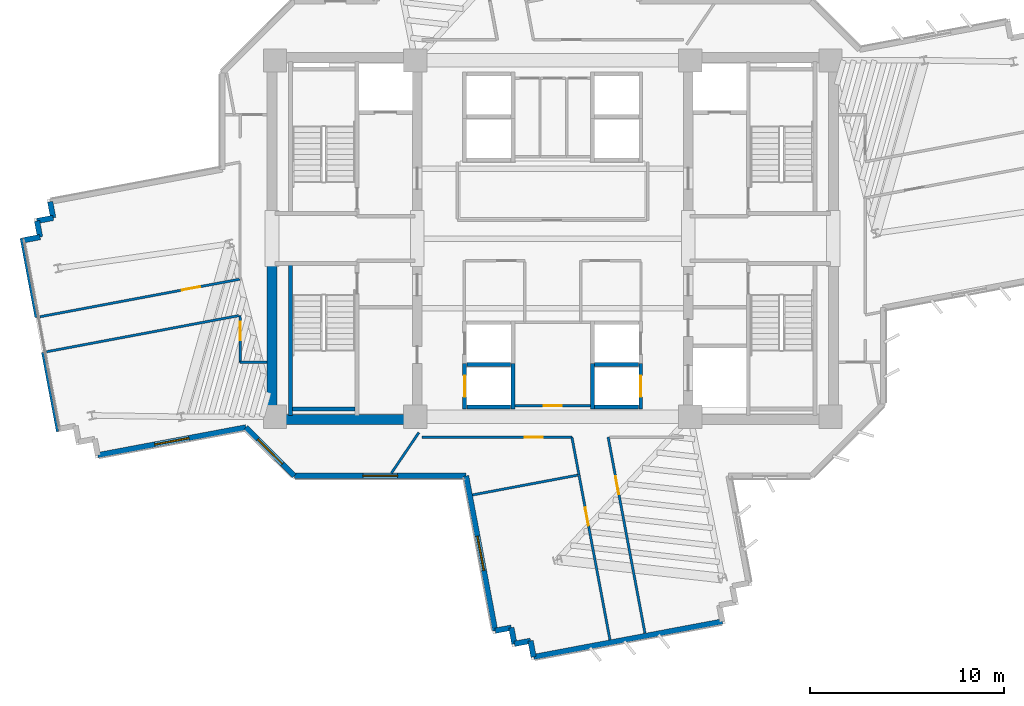
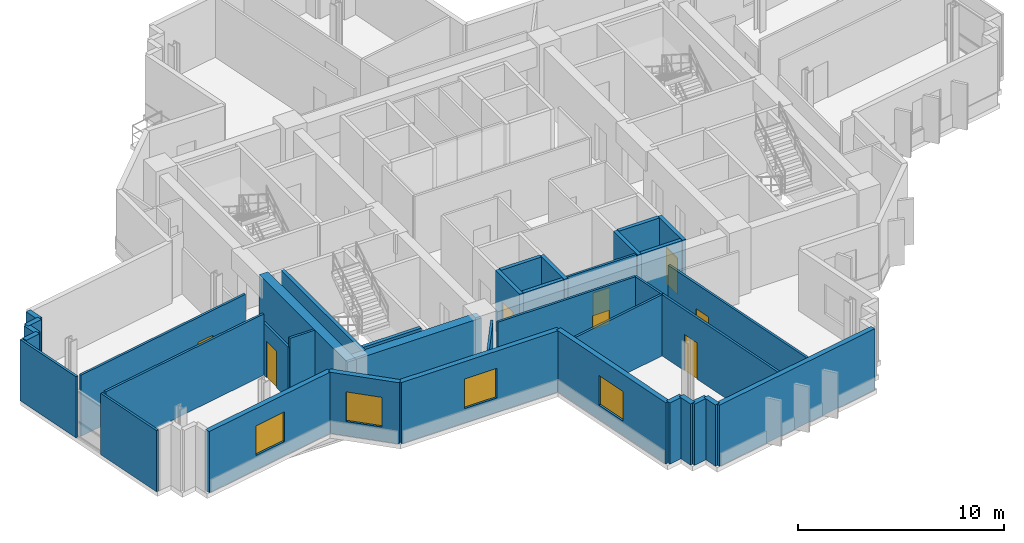
# One storey, part 8 of 16: 38 walls, 8 doors, 4 windows, 12 openings.
"""IFC4 building model written with IfcOpenShell, lengths in metres."""

from ifc_helpers import new_model, si_unit, direction, frame, frame_2d, origin, place, context, subcontext, project, spatial, rectangle, extrude, source, transform, mapped, material, layer, layer_set, type_object, element, fill, save


model = new_model("IFC4")

# Units and contexts
model_context = context("Model", 3, precision=1e-05, world=origin(), true_north=direction((0.0, 1.0)))
body_context = subcontext(model_context, "Body", "Model", "MODEL_VIEW")
ifc_project = project(units=[si_unit("LENGTHUNIT", "METRE"), si_unit("AREAUNIT", "SQUARE_METRE"), si_unit("VOLUMEUNIT", "CUBIC_METRE"), si_unit("PLANEANGLEUNIT", "RADIAN"), si_unit("MASSUNIT", "GRAM", prefix="KILO")], contexts=[model_context])

# Site, building, storey
site_placement = place(None, origin())
site = spatial("IfcSite", under=ifc_project, at=site_placement, CompositionType="ELEMENT")
building_placement = place(site_placement, origin())
building = spatial("IfcBuilding", under=site, at=building_placement, Name="Zahravan Cultural Tower", CompositionType="ELEMENT")
storey_placement = place(building_placement, frame((0.0, 0.0, 155.10009765625)))
storey = spatial("IfcBuildingStorey", under=building, at=storey_placement, Name="L35", CompositionType="ELEMENT", Elevation=155.10009765625)

# Wall, opening, window
ifc_material_1 = material(Name="Precast concrete C40/50", Category="concrete")
ifc_layer_1 = layer(ifc_material_1, 0.280029296875)
ifc_layer_set_1 = layer_set([ifc_layer_1], Name="Precast concrete C40/50")
wall_type_1 = type_object("IfcWallType", Name="EW-TC-280", PredefinedType="SOLIDWALL", material=ifc_layer_set_1)
wall_1_placement = place(storey_placement, frame((33.029052734375, 6.7431640625, 0.0), z_axis=(0.0, 0.0, 1.0), x_axis=(-0.184649032166, 0.982804525285, 0.0)))
wall_1 = element("IfcWall", 1, at=wall_1_placement, inside=storey, type_object=wall_type_1, Name="L35 Exterior Masonry Frame Wall 24", PredefinedType="SOLIDWALL", context=body_context, shape_type="SweptSolid", body=[
    extrude(rectangle(XDim=8.13671875, YDim=0.280029296875, at=frame_2d((4.068359375, 0.0))), origin(), (0.0, 0.0, 1.0), 3.619873046875),
])
opening_1_placement = place(wall_1_placement, frame((3.16796875, 0.0, 0.85009765625)))
opening_1 = element("IfcOpeningElement", 2, at=opening_1_placement, cuts=wall_1, Name="Opening WN-02", PredefinedType="OPENING", context=body_context, shape_type="SweptSolid", body=[
    extrude(rectangle(XDim=1.800048828125, YDim=1.75, at=frame_2d((0.89990234375, 0.875))), frame((0.0, 0.14990234375, 0.0), z_axis=(0.0, -1.0, 0.0), x_axis=(1.0, 0.0, 0.0)), (0.0, 0.0, 1.0), 0.300048828125),
])
ifc_material_2 = material(Name="Low-E solar-control double glazing", Category="glass")
window_type = type_object("IfcWindowType", Name="WN-REC-1800X1750", PartitioningType="DOUBLE_PANEL_VERTICAL", PredefinedType="WINDOW", material=ifc_material_2)
shared_shape_1 = source(origin(), body_context, "Body", "SweptSolid", [
    extrude(rectangle(XDim=1.800048828125, YDim=1.75, at=frame_2d((0.89990234375, 0.875))), frame((0.0, 0.030029296875, 0.0), z_axis=(0.0, -1.0, 0.0), x_axis=(1.0, 0.0, 0.0)), (0.0, 0.0, 1.0), 0.06005859375),
])
window_1_placement = place(opening_1_placement, origin())
window_1 = element("IfcWindow", 3, at=window_1_placement, inside=storey, type_object=window_type, Name="L35 Recessed Solar Window 05", OverallHeight=1.75, OverallWidth=1.800048828125, PartitioningType="DOUBLE_PANEL_VERTICAL", PredefinedType="WINDOW", context=body_context, shape_type="MappedRepresentation", body=[
    mapped(shared_shape_1, transform((0.0, 0.0, 0.0), x_axis=(1.0, 0.0, 0.0), y_axis=(0.0, 1.0, 0.0), z_axis=(0.0, 0.0, 1.0), scale=1.0)),
])
fill(opening_1, window_1)

wall_2_placement = place(storey_placement, frame((31.526611328125, 14.739990234375, 0.0), z_axis=(0.0, 0.0, 1.0), x_axis=(-1.0, 0.0, 0.0)))
wall_2 = element("IfcWall", 4, at=wall_2_placement, inside=storey, type_object=wall_type_1, Name="L35 Exterior Masonry Frame Wall 25", PredefinedType="SOLIDWALL", context=body_context, shape_type="SweptSolid", body=[
    extrude(rectangle(XDim=8.86865234375, YDim=0.280029296875, at=frame_2d((4.434326171875, 0.0))), origin(), (0.0, 0.0, 1.0), 3.619873046875),
])
opening_2_placement = place(wall_2_placement, frame((3.533935546875, 0.0, 0.85009765625)))
opening_2 = element("IfcOpeningElement", 5, at=opening_2_placement, cuts=wall_2, Name="Opening WN-02", PredefinedType="OPENING", context=body_context, shape_type="SweptSolid", body=[
    extrude(rectangle(XDim=1.800048828125, YDim=1.75, at=frame_2d((0.89990234375, 0.875))), frame((0.0, 0.14990234375, 0.0), z_axis=(0.0, -1.0, 0.0), x_axis=(1.0, 0.0, 0.0)), (0.0, 0.0, 1.0), 0.300048828125),
])
window_2_placement = place(opening_2_placement, origin())
window_2 = element("IfcWindow", 6, at=window_2_placement, inside=storey, type_object=window_type, Name="L35 Recessed Solar Window 06", OverallHeight=1.75, OverallWidth=1.800048828125, PartitioningType="DOUBLE_PANEL_VERTICAL", PredefinedType="WINDOW", context=body_context, shape_type="MappedRepresentation", body=[
    mapped(shared_shape_1, transform((0.0, 0.0, 0.0), x_axis=(1.0, 0.0, 0.0), y_axis=(0.0, 1.0, 0.0), z_axis=(0.0, 0.0, 1.0), scale=1.0)),
])
fill(opening_2, window_2)

wall_3_placement = place(storey_placement, frame((22.657958984375, 14.739990234375, 0.0), z_axis=(0.0, 0.0, 1.0), x_axis=(-0.707106781187, 0.707106781187, 0.0)))
wall_3 = element("IfcWall", 7, at=wall_3_placement, inside=storey, type_object=wall_type_1, Name="L35 Exterior Masonry Frame Wall 26", PredefinedType="SOLIDWALL", context=body_context, shape_type="SweptSolid", body=[
    extrude(rectangle(XDim=3.544189453125, YDim=0.280029296875, at=frame_2d((1.77197265625, 0.0))), origin(), (0.0, 0.0, 1.0), 3.619873046875),
])
opening_3_placement = place(wall_3_placement, frame((0.8720703125, 0.0, 0.85009765625)))
opening_3 = element("IfcOpeningElement", 8, at=opening_3_placement, cuts=wall_3, Name="Opening WN-02", PredefinedType="OPENING", context=body_context, shape_type="SweptSolid", body=[
    extrude(rectangle(XDim=1.800048828125, YDim=1.75, at=frame_2d((0.89990234375, 0.875))), frame((0.0, 0.14990234375, 0.0), z_axis=(0.0, -1.0, 0.0), x_axis=(1.0, 0.0, 0.0)), (0.0, 0.0, 1.0), 0.300048828125),
])
window_3_placement = place(opening_3_placement, origin())
window_3 = element("IfcWindow", 9, at=window_3_placement, inside=storey, type_object=window_type, Name="L35 Recessed Solar Window 07", OverallHeight=1.75, OverallWidth=1.800048828125, PartitioningType="DOUBLE_PANEL_VERTICAL", PredefinedType="WINDOW", context=body_context, shape_type="MappedRepresentation", body=[
    mapped(shared_shape_1, transform((0.0, 0.0, 0.0), x_axis=(1.0, 0.0, 0.0), y_axis=(0.0, 1.0, 0.0), z_axis=(0.0, 0.0, 1.0), scale=1.0)),
])
fill(opening_3, window_3)

wall_4_placement = place(storey_placement, frame((20.15185546875, 17.24609375, 0.0), z_axis=(0.0, 0.0, 1.0), x_axis=(-0.982809278234, -0.18462373254, 0.0)))
wall_4 = element("IfcWall", 10, at=wall_4_placement, inside=storey, type_object=wall_type_1, Name="L35 Exterior Masonry Frame Wall 27", PredefinedType="SOLIDWALL", context=body_context, shape_type="SweptSolid", body=[
    extrude(rectangle(XDim=7.783447265625, YDim=0.280029296875, at=frame_2d((3.8916015625, 0.0))), origin(), (0.0, 0.0, 1.0), 3.619873046875),
])
opening_4_placement = place(wall_4_placement, frame((2.991943359375, 0.0, 0.85009765625)))
opening_4 = element("IfcOpeningElement", 11, at=opening_4_placement, cuts=wall_4, Name="Opening WN-02", PredefinedType="OPENING", context=body_context, shape_type="SweptSolid", body=[
    extrude(rectangle(XDim=1.800048828125, YDim=1.75, at=frame_2d((0.89990234375, 0.875))), frame((0.0, 0.14990234375, 0.0), z_axis=(0.0, -1.0, 0.0), x_axis=(1.0, 0.0, 0.0)), (0.0, 0.0, 1.0), 0.300048828125),
])
window_4_placement = place(opening_4_placement, origin())
window_4 = element("IfcWindow", 12, at=window_4_placement, inside=storey, type_object=window_type, Name="L35 Recessed Solar Window 08", OverallHeight=1.75, OverallWidth=1.800048828125, PartitioningType="DOUBLE_PANEL_VERTICAL", PredefinedType="WINDOW", context=body_context, shape_type="MappedRepresentation", body=[
    mapped(shared_shape_1, transform((0.0, 0.0, 0.0), x_axis=(1.0, 0.0, 0.0), y_axis=(0.0, 1.0, 0.0), z_axis=(0.0, 0.0, 1.0), scale=1.0)),
])
fill(opening_4, window_4)

# Wall, opening, door
ifc_material_3 = material(Name="Gypsum plasterboard partition")
ifc_layer_2 = layer(ifc_material_3, 0.125)
ifc_layer_set_2 = layer_set([ifc_layer_2], Name="Gypsum plasterboard partition")
wall_type_2 = type_object("IfcWallType", Name="W-PART-125", PredefinedType="PARTITIONING", material=ifc_layer_set_2)
wall_5_placement = place(storey_placement, frame((37.945068359375, 18.360107421875, 0.0), z_axis=(0.0, 0.0, 1.0), x_axis=(-1.0, 0.0, 0.0)))
wall_5 = element("IfcWall", 13, at=wall_5_placement, inside=storey, type_object=wall_type_2, Name="L35 Interior Wall 075", PredefinedType="PARTITIONING", context=body_context, shape_type="SweptSolid", body=[
    extrude(rectangle(XDim=3.89013671875, YDim=0.125, at=frame_2d((1.945068359375, 0.0))), origin(), (0.0, 0.0, 1.0), 3.619873046875),
])
opening_5_placement = place(wall_5_placement, frame((1.469970703125, 0.0, 0.0)))
opening_5 = element("IfcOpeningElement", 14, at=opening_5_placement, cuts=wall_5, Name="Opening D-L35-17", PredefinedType="OPENING", context=body_context, shape_type="SweptSolid", body=[
    extrude(rectangle(XDim=0.949951171875, YDim=2.14990234375, at=frame_2d((0.47509765625, 1.074951171875))), frame((0.0, 0.072509765625, 0.0), z_axis=(0.0, -1.0, 0.0), x_axis=(1.0, 0.0, 0.0)), (0.0, 0.0, 1.0), 0.14501953125),
])
ifc_material_4 = material(Name="Anodised bronze-aluminium mullion", Category="aluminium")
door_type_1 = type_object("IfcDoorType", Name="DR-ROOM-950", OperationType="NOTDEFINED", PredefinedType="DOOR", material=ifc_material_4)
shared_shape_2 = source(origin(), body_context, "Body", "SweptSolid", [
    extrude(rectangle(XDim=0.949951171875, YDim=2.14990234375, at=frame_2d((0.47509765625, 1.074951171875))), frame((0.0, 0.02490234375, 0.0), z_axis=(0.0, -1.0, 0.0), x_axis=(1.0, 0.0, 0.0)), (0.0, 0.0, 1.0), 0.050048828125),
])
door_1_placement = place(opening_5_placement, origin())
door_1 = element("IfcDoor", 15, at=door_1_placement, inside=storey, type_object=door_type_1, Name="L35 Door D-L35-17", OperationType="SINGLE_SWING_LEFT", OverallHeight=2.14990234375, OverallWidth=0.949951171875, PredefinedType="DOOR", context=body_context, shape_type="MappedRepresentation", body=[
    mapped(shared_shape_2, transform((0.0, 0.0, 0.0), x_axis=(1.0, 0.0, 0.0), y_axis=(0.0, 1.0, 0.0), z_axis=(0.0, 0.0, 1.0), scale=1.0)),
])
fill(opening_5, door_1)

wall_6_placement = place(storey_placement, frame((29.255859375, 16.739990234375, 0.0), z_axis=(0.0, 0.0, 1.0), x_axis=(1.0, 0.0, 0.0)))
wall_6 = element("IfcWall", 16, at=wall_6_placement, inside=storey, type_object=wall_type_2, Name="L35 Interior Wall 080", PredefinedType="PARTITIONING", context=body_context, shape_type="SweptSolid", body=[
    extrude(rectangle(XDim=7.735595703125, YDim=0.125, at=frame_2d((3.86767578125, 0.0))), origin(), (0.0, 0.0, 1.0), 3.619873046875),
])
opening_6_placement = place(wall_6_placement, frame((5.292724609375, 0.0, 0.0)))
opening_6 = element("IfcOpeningElement", 17, at=opening_6_placement, cuts=wall_6, Name="Opening D-L35-27", PredefinedType="OPENING", context=body_context, shape_type="SweptSolid", body=[
    extrude(rectangle(XDim=0.949951171875, YDim=2.14990234375, at=frame_2d((0.47509765625, 1.074951171875))), frame((0.0, 0.072509765625, 0.0), z_axis=(0.0, -1.0, 0.0), x_axis=(1.0, 0.0, 0.0)), (0.0, 0.0, 1.0), 0.14501953125),
])
door_2_placement = place(opening_6_placement, origin())
door_2 = element("IfcDoor", 18, at=door_2_placement, inside=storey, type_object=door_type_1, Name="L35 Door D-L35-27", OperationType="SINGLE_SWING_LEFT", OverallHeight=2.14990234375, OverallWidth=0.949951171875, PredefinedType="DOOR", context=body_context, shape_type="MappedRepresentation", body=[
    mapped(shared_shape_2, transform((0.0, 0.0, 0.0), x_axis=(1.0, 0.0, 0.0), y_axis=(0.0, 1.0, 0.0), z_axis=(0.0, 0.0, 1.0), scale=1.0)),
])
fill(opening_6, door_2)

wall_7_placement = place(storey_placement, frame((37.361328125, 14.77099609375, 0.0), z_axis=(0.0, 0.0, 1.0), x_axis=(0.18463806937, -0.982806584908, 0.0)))
wall_7 = element("IfcWall", 19, at=wall_7_placement, inside=storey, type_object=wall_type_2, Name="L35 Interior Wall 088", PredefinedType="PARTITIONING", context=body_context, shape_type="SweptSolid", body=[
    extrude(rectangle(XDim=8.64501953125, YDim=0.125, at=frame_2d((4.322509765625, 0.0))), origin(), (0.0, 0.0, 1.0), 3.619873046875),
])
opening_7_placement = place(wall_7_placement, frame((1.69287109375, 0.0, 0.0)))
opening_7 = element("IfcOpeningElement", 20, at=opening_7_placement, cuts=wall_7, Name="Opening D-L35-28", PredefinedType="OPENING", context=body_context, shape_type="SweptSolid", body=[
    extrude(rectangle(XDim=0.949951171875, YDim=2.14990234375, at=frame_2d((0.47509765625, 1.074951171875))), frame((0.0, 0.072509765625, 0.0), z_axis=(0.0, -1.0, 0.0), x_axis=(1.0, 0.0, 0.0)), (0.0, 0.0, 1.0), 0.14501953125),
])
door_3_placement = place(opening_7_placement, origin())
door_3 = element("IfcDoor", 21, at=door_3_placement, inside=storey, type_object=door_type_1, Name="L35 Door D-L35-28", OperationType="SINGLE_SWING_RIGHT", OverallHeight=2.14990234375, OverallWidth=0.949951171875, PredefinedType="DOOR", context=body_context, shape_type="MappedRepresentation", body=[
    mapped(shared_shape_2, transform((0.0, 0.0, 0.0), x_axis=(1.0, 0.0, 0.0), y_axis=(0.0, 1.0, 0.0), z_axis=(0.0, 0.0, 1.0), scale=1.0)),
])
fill(opening_7, door_3)

wall_8_placement = place(storey_placement, frame((19.849853515625, 24.902099609375, 0.0), z_axis=(0.0, 0.0, 1.0), x_axis=(-0.982804817995, -0.184647474194, 0.0)))
wall_8 = element("IfcWall", 22, at=wall_8_placement, inside=storey, type_object=wall_type_2, Name="L35 Interior Wall 096", PredefinedType="PARTITIONING", context=body_context, shape_type="SweptSolid", body=[
    extrude(rectangle(XDim=10.5126953125, YDim=0.125, at=frame_2d((5.25634765625, 0.0))), origin(), (0.0, 0.0, 1.0), 3.619873046875),
])
opening_8_placement = place(wall_8_placement, frame((2.103759765625, 0.0, 0.0)))
opening_8 = element("IfcOpeningElement", 23, at=opening_8_placement, cuts=wall_8, Name="Opening D-L35-25", PredefinedType="OPENING", context=body_context, shape_type="SweptSolid", body=[
    extrude(rectangle(XDim=0.949951171875, YDim=2.14990234375, at=frame_2d((0.47509765625, 1.074951171875))), frame((0.0, 0.072509765625, 0.0), z_axis=(0.0, -1.0, 0.0), x_axis=(1.0, 0.0, 0.0)), (0.0, 0.0, 1.0), 0.14501953125),
])
door_4_placement = place(opening_8_placement, origin())
door_4 = element("IfcDoor", 24, at=door_4_placement, inside=storey, type_object=door_type_1, Name="L35 Door D-L35-25", OperationType="SINGLE_SWING_LEFT", OverallHeight=2.14990234375, OverallWidth=0.949951171875, PredefinedType="DOOR", context=body_context, shape_type="MappedRepresentation", body=[
    mapped(shared_shape_2, transform((0.0, 0.0, 0.0), x_axis=(1.0, 0.0, 0.0), y_axis=(0.0, 1.0, 0.0), z_axis=(0.0, 0.0, 1.0), scale=1.0)),
])
fill(opening_8, door_4)

wall_9_placement = place(storey_placement, frame((40.765869140625, 6.614501953125, 0.0), z_axis=(0.0, 0.0, 1.0), x_axis=(-0.184646211839, 0.982805055163, 0.0)))
wall_9 = element("IfcWall", 25, at=wall_9_placement, inside=storey, type_object=wall_type_2, Name="L35 Interior Wall 097", PredefinedType="PARTITIONING", context=body_context, shape_type="SweptSolid", body=[
    extrude(rectangle(XDim=10.302734375, YDim=0.125, at=frame_2d((5.1513671875, 0.0))), origin(), (0.0, 0.0, 1.0), 3.619873046875),
])
opening_9_placement = place(wall_9_placement, frame((7.295166015625, 0.0, 0.0)))
opening_9 = element("IfcOpeningElement", 26, at=opening_9_placement, cuts=wall_9, Name="Opening D-L35-29", PredefinedType="OPENING", context=body_context, shape_type="SweptSolid", body=[
    extrude(rectangle(XDim=0.949951171875, YDim=2.14990234375, at=frame_2d((0.47509765625, 1.074951171875))), frame((0.0, 0.072509765625, 0.0), z_axis=(0.0, -1.0, 0.0), x_axis=(1.0, 0.0, 0.0)), (0.0, 0.0, 1.0), 0.14501953125),
])
door_5_placement = place(opening_9_placement, origin())
door_5 = element("IfcDoor", 27, at=door_5_placement, inside=storey, type_object=door_type_1, Name="L35 Door D-L35-29", OperationType="SINGLE_SWING_LEFT", OverallHeight=2.14990234375, OverallWidth=0.949951171875, PredefinedType="DOOR", context=body_context, shape_type="MappedRepresentation", body=[
    mapped(shared_shape_2, transform((0.0, 0.0, 0.0), x_axis=(1.0, 0.0, 0.0), y_axis=(0.0, 1.0, 0.0), z_axis=(0.0, 0.0, 1.0), scale=1.0)),
])
fill(opening_9, door_5)

wall_10_placement = place(storey_placement, frame((19.85009765625, 23.02978515625, 0.0), z_axis=(0.0, 0.0, 1.0), x_axis=(0.00040209084, -0.999999919161, 0.0)))
wall_10 = element("IfcWall", 28, at=wall_10_placement, inside=storey, type_object=wall_type_2, Name="L35 Interior Wall 105", PredefinedType="PARTITIONING", context=body_context, shape_type="SweptSolid", body=[
    extrude(rectangle(XDim=2.4287109375, YDim=0.125, at=frame_2d((1.21435546875, 0.0))), origin(), (0.0, 0.0, 1.0), 3.078857421875),
])
opening_10_placement = place(wall_10_placement, frame((0.3251953125, 0.0, 0.0)))
opening_10 = element("IfcOpeningElement", 29, at=opening_10_placement, cuts=wall_10, Name="Opening D-L35-26", PredefinedType="OPENING", context=body_context, shape_type="SweptSolid", body=[
    extrude(rectangle(XDim=0.949951171875, YDim=2.14990234375, at=frame_2d((0.47509765625, 1.074951171875))), frame((0.0, 0.072509765625, 0.0), z_axis=(0.0, -1.0, 0.0), x_axis=(1.0, 0.0, 0.0)), (0.0, 0.0, 1.0), 0.14501953125),
])
door_6_placement = place(opening_10_placement, origin())
door_6 = element("IfcDoor", 30, at=door_6_placement, inside=storey, type_object=door_type_1, Name="L35 Door D-L35-26", OperationType="SINGLE_SWING_RIGHT", OverallHeight=2.14990234375, OverallWidth=0.949951171875, PredefinedType="DOOR", context=body_context, shape_type="MappedRepresentation", body=[
    mapped(shared_shape_2, transform((0.0, 0.0, 0.0), x_axis=(1.0, 0.0, 0.0), y_axis=(0.0, 1.0, 0.0), z_axis=(0.0, 0.0, 1.0), scale=1.0)),
])
fill(opening_10, door_6)

ifc_material_5 = material(Name="Concrete C45/55", Category="concrete")
ifc_layer_3 = layer(ifc_material_5, 0.199951171875)
ifc_layer_set_3 = layer_set([ifc_layer_3], Name="Concrete C45/55")
wall_type_3 = type_object("IfcWallType", Name="W-SHAFT-200", PredefinedType="SOLIDWALL", material=ifc_layer_set_3)
wall_11_placement = place(storey_placement, frame((31.449951171875, 18.199951171875, 0.0), z_axis=(0.0, 0.0, 1.0), x_axis=(0.0, 1.0, 0.0)))
wall_11 = element("IfcWall", 31, at=wall_11_placement, inside=storey, type_object=wall_type_3, Name="L35 Interior Wall 044", PredefinedType="SOLIDWALL", context=body_context, shape_type="SweptSolid", body=[
    extrude(rectangle(XDim=2.35009765625, YDim=0.199951171875, at=frame_2d((1.175048828125, 0.0))), origin(), (0.0, 0.0, 1.0), 3.619873046875),
])
opening_11_placement = place(wall_11_placement, frame((0.625, 0.0, 0.0)))
opening_11 = element("IfcOpeningElement", 32, at=opening_11_placement, cuts=wall_11, Name="Opening LD-L35-05", PredefinedType="OPENING", context=body_context, shape_type="SweptSolid", body=[
    extrude(rectangle(XDim=1.10009765625, YDim=2.14990234375, at=frame_2d((0.550048828125, 1.074951171875))), frame((0.0, 0.10986328125, 0.0), z_axis=(0.0, -1.0, 0.0), x_axis=(1.0, 0.0, 0.0)), (0.0, 0.0, 1.0), 0.219970703125),
])
ifc_material_6 = material(Name="Steel ASTM A572 Grade 50", Category="steel")
door_type_2 = type_object("IfcDoorType", Name="DR-LIFT-1100", OperationType="DOUBLE_DOOR_SLIDING", PredefinedType="DOOR", material=ifc_material_6)
shared_shape_3 = source(origin(), body_context, "Body", "SweptSolid", [
    extrude(rectangle(XDim=1.10009765625, YDim=2.14990234375, at=frame_2d((0.550048828125, 1.074951171875))), frame((0.0, 0.02490234375, 0.0), z_axis=(0.0, -1.0, 0.0), x_axis=(1.0, 0.0, 0.0)), (0.0, 0.0, 1.0), 0.050048828125),
])
door_7_placement = place(opening_11_placement, origin())
door_7 = element("IfcDoor", 33, at=door_7_placement, inside=storey, type_object=door_type_2, Name="L35 Door LD-L35-05", OperationType="DOUBLE_DOOR_SLIDING", OverallHeight=2.14990234375, OverallWidth=1.10009765625, PredefinedType="DOOR", context=body_context, shape_type="MappedRepresentation", body=[
    mapped(shared_shape_3, transform((0.0, 0.0, 0.0), x_axis=(1.0, 0.0, 0.0), y_axis=(0.0, 1.0, 0.0), z_axis=(0.0, 0.0, 1.0), scale=1.0)),
])
fill(opening_11, door_7)

wall_12_placement = place(storey_placement, frame((40.550048828125, 18.199951171875, 0.0), z_axis=(0.0, 0.0, 1.0), x_axis=(0.0, 1.0, 0.0)))
wall_12 = element("IfcWall", 34, at=wall_12_placement, inside=storey, type_object=wall_type_3, Name="L35 Interior Wall 052", PredefinedType="SOLIDWALL", context=body_context, shape_type="SweptSolid", body=[
    extrude(rectangle(XDim=2.35009765625, YDim=0.199951171875, at=frame_2d((1.175048828125, 0.0))), origin(), (0.0, 0.0, 1.0), 3.619873046875),
])
opening_12_placement = place(wall_12_placement, frame((0.625, 0.0, 0.0)))
opening_12 = element("IfcOpeningElement", 35, at=opening_12_placement, cuts=wall_12, Name="Opening LD-L35-07", PredefinedType="OPENING", context=body_context, shape_type="SweptSolid", body=[
    extrude(rectangle(XDim=1.10009765625, YDim=2.14990234375, at=frame_2d((0.550048828125, 1.074951171875))), frame((0.0, 0.10986328125, 0.0), z_axis=(0.0, -1.0, 0.0), x_axis=(1.0, 0.0, 0.0)), (0.0, 0.0, 1.0), 0.219970703125),
])
door_8_placement = place(opening_12_placement, origin())
door_8 = element("IfcDoor", 36, at=door_8_placement, inside=storey, type_object=door_type_2, Name="L35 Door LD-L35-07", OperationType="DOUBLE_DOOR_SLIDING", OverallHeight=2.14990234375, OverallWidth=1.10009765625, PredefinedType="DOOR", context=body_context, shape_type="MappedRepresentation", body=[
    mapped(shared_shape_3, transform((0.0, 0.0, 0.0), x_axis=(1.0, 0.0, 0.0), y_axis=(0.0, 1.0, 0.0), z_axis=(0.0, 0.0, 1.0), scale=1.0)),
])
fill(opening_12, door_8)

# Walls
ifc_material_7 = material(Name="Concrete C60/75", Category="concrete")
ifc_layer_4 = layer(ifc_material_7, 0.5)
ifc_layer_set_4 = layer_set([ifc_layer_4], Name="Concrete C60/75")
wall_type_4 = type_object("IfcWallType", Name="CW-SHEAR-500-C60", PredefinedType="SHEAR", material=ifc_layer_set_4)
shared_shape_4 = source(origin(), body_context, "Body", "SweptSolid", [
    extrude(rectangle(XDim=8.550048828125, YDim=0.5, at=frame_2d((4.27490234375, 0.0))), origin(), (0.0, 0.0, 1.0), 3.619873046875),
])
wall_13_placement = place(storey_placement, frame((21.5, 17.39990234375, 0.0), z_axis=(0.0, 0.0, 1.0), x_axis=(0.0, 1.0, 0.0)))
element("IfcWall", 37, at=wall_13_placement, inside=storey, type_object=wall_type_4, Name="L35 Core Shear Wall CW-W-WS-L35", PredefinedType="SHEAR", context=body_context, shape_type="MappedRepresentation", body=[
    mapped(shared_shape_4, transform((0.0, 0.0, 0.0), x_axis=(1.0, 0.0, 0.0), y_axis=(0.0, 1.0, 0.0), z_axis=(0.0, 0.0, 1.0), scale=1.0)),
])
shared_shape_5 = source(origin(), body_context, "Body", "SweptSolid", [
    extrude(rectangle(XDim=7.0, YDim=0.5, at=frame_2d((3.5, 0.0))), origin(), (0.0, 0.0, 1.0), 3.619873046875),
])
wall_14_placement = place(storey_placement, frame((21.75, 17.64990234375, 0.0), z_axis=(0.0, 0.0, 1.0), x_axis=(1.0, 0.0, 0.0)))
element("IfcWall", 38, at=wall_14_placement, inside=storey, type_object=wall_type_4, Name="L35 Core Shear Wall CW-W-S-L35", PredefinedType="SHEAR", context=body_context, shape_type="MappedRepresentation", body=[
    mapped(shared_shape_5, transform((0.0, 0.0, 0.0), x_axis=(1.0, 0.0, 0.0), y_axis=(0.0, 1.0, 0.0), z_axis=(0.0, 0.0, 1.0), scale=1.0)),
])
shared_shape_6 = source(origin(), body_context, "Body", "SweptSolid", [
    extrude(rectangle(XDim=0.85009765625, YDim=0.280029296875, at=frame_2d((0.425048828125, 0.0))), origin(), (0.0, 0.0, 1.0), 3.619873046875),
])
for number, where, z_axis, x_axis, name in (
    (39, (35.013916015625, 5.38623046875, 0.0), (0.0, 0.0, 1.0), (-0.184670010318, 0.982800583684, 0.0), "L35 Exterior Masonry Frame Wall 20"),
    (40, (34.85693359375, 6.2216796875, 0.0), (0.0, 0.0, 1.0), (-0.982800583684, -0.184670010318, 0.0), "L35 Exterior Masonry Frame Wall 21"),
    (41, (34.021484375, 6.064697265625, 0.0), (0.0, 0.0, 1.0), (-0.184670010318, 0.982800583684, 0.0), "L35 Exterior Masonry Frame Wall 22"),
    (42, (33.864501953125, 6.900146484375, 0.0), (0.0, 0.0, 1.0), (-0.982800583684, -0.184670010318, 0.0), "L35 Exterior Masonry Frame Wall 23"),
    (43, (8.68603515625, 26.915283203125, 0.0), (0.0, 0.0, 1.0), (0.982800583684, 0.184670010318, 0.0), "L35 Exterior Masonry Frame Wall 32"),
    (44, (9.521484375, 27.072265625, 0.0), (0.0, 0.0, 1.0), (-0.184670010318, 0.982800583684, 0.0), "L35 Exterior Masonry Frame Wall 33"),
    (45, (10.19970703125, 28.064697265625, 0.0), (0.0, 0.0, 1.0), (-0.184392582027, 0.982852672425, 0.0), "L35 Exterior Masonry Frame Wall 35"),
):
    element("IfcWall", number, at=place(storey_placement, frame(where, z_axis=z_axis, x_axis=x_axis)), inside=storey, type_object=wall_type_1, Name=name, PredefinedType="SOLIDWALL", context=body_context, shape_type="MappedRepresentation", body=[
        mapped(shared_shape_6, transform((0.0, 0.0, 0.0), x_axis=(1.0, 0.0, 0.0), y_axis=(0.0, 1.0, 0.0), z_axis=(0.0, 0.0, 1.0), scale=1.0)),
    ])
shared_shape_7 = source(origin(), body_context, "Body", "SweptSolid", [
    extrude(rectangle(XDim=0.849853515625, YDim=0.280029296875, at=frame_2d((0.4248046875, 0.0))), origin(), (0.0, 0.0, 1.0), 3.619873046875),
])
wall_15_placement = place(storey_placement, frame((9.364501953125, 27.90771484375, 0.0), z_axis=(0.0, 0.0, 1.0), x_axis=(0.982790785128, 0.184722149909, 0.0)))
element("IfcWall", 46, at=wall_15_placement, inside=storey, type_object=wall_type_1, Name="L35 Exterior Masonry Frame Wall 34", PredefinedType="SOLIDWALL", context=body_context, shape_type="MappedRepresentation", body=[
    mapped(shared_shape_7, transform((0.0, 0.0, 0.0), x_axis=(1.0, 0.0, 0.0), y_axis=(0.0, 1.0, 0.0), z_axis=(0.0, 0.0, 1.0), scale=1.0)),
])
shared_shape_8 = source(origin(), body_context, "Body", "SweptSolid", [
    extrude(rectangle(XDim=9.919921875, YDim=0.280029296875, at=frame_2d((4.9599609375, 0.0))), origin(), (0.0, 0.0, 1.0), 3.619873046875),
])
wall_16_placement = place(storey_placement, frame((44.76318359375, 7.2177734375, 0.0), z_axis=(0.0, 0.0, 1.0), x_axis=(-0.982807207568, -0.184634754994, 0.0)))
element("IfcWall", 47, at=wall_16_placement, inside=storey, type_object=wall_type_1, Name="L35 Exterior Masonry Frame Wall 19", PredefinedType="SOLIDWALL", context=body_context, shape_type="MappedRepresentation", body=[
    mapped(shared_shape_8, transform((0.0, 0.0, 0.0), x_axis=(1.0, 0.0, 0.0), y_axis=(0.0, 1.0, 0.0), z_axis=(0.0, 0.0, 1.0), scale=1.0)),
])
shared_shape_9 = source(origin(), body_context, "Body", "SweptSolid", [
    extrude(rectangle(XDim=7.869873046875, YDim=0.199951171875, at=frame_2d((3.93505859375, 0.0))), origin(), (0.0, 0.0, 1.0), 3.619873046875),
])
wall_17_placement = place(storey_placement, frame((22.449951171875, 17.85009765625, 0.0), z_axis=(0.0, 0.0, 1.0), x_axis=(0.0, 1.0, 0.0)))
element("IfcWall", 48, at=wall_17_placement, inside=storey, type_object=wall_type_3, Name="L35 Interior Wall 001", PredefinedType="SOLIDWALL", context=body_context, shape_type="MappedRepresentation", body=[
    mapped(shared_shape_9, transform((0.0, 0.0, 0.0), x_axis=(1.0, 0.0, 0.0), y_axis=(0.0, 1.0, 0.0), z_axis=(0.0, 0.0, 1.0), scale=1.0)),
])
shared_shape_10 = source(origin(), body_context, "Body", "SweptSolid", [
    extrude(rectangle(XDim=3.25, YDim=0.199951171875, at=frame_2d((1.625, 0.0))), origin(), (0.0, 0.0, 1.0), 3.619873046875),
])
wall_18_placement = place(storey_placement, frame((22.550048828125, 18.199951171875, 0.0), z_axis=(0.0, 0.0, 1.0), x_axis=(1.0, 0.0, 0.0)))
element("IfcWall", 49, at=wall_18_placement, inside=storey, type_object=wall_type_3, Name="L35 Interior Wall 019", PredefinedType="SOLIDWALL", context=body_context, shape_type="MappedRepresentation", body=[
    mapped(shared_shape_10, transform((0.0, 0.0, 0.0), x_axis=(1.0, 0.0, 0.0), y_axis=(0.0, 1.0, 0.0), z_axis=(0.0, 0.0, 1.0), scale=1.0)),
])
shared_shape_11 = source(origin(), body_context, "Body", "SweptSolid", [
    extrude(rectangle(XDim=2.260009765625, YDim=0.199951171875, at=frame_2d((1.1298828125, 0.0))), origin(), (0.0, 0.0, 1.0), 3.619873046875),
])
for number, where, z_axis, x_axis, name in (
    (50, (31.570068359375, 20.5, 0.0), (0.0, 0.0, 1.0), (1.0, 0.0, 0.0), "L35 Interior Wall 042"),
    (51, (31.570068359375, 18.300048828125, 0.0), (0.0, 0.0, 1.0), (1.0, 0.0, 0.0), "L35 Interior Wall 046"),
    (52, (38.169921875, 20.5, 0.0), (0.0, 0.0, 1.0), (1.0, 0.0, 0.0), "L35 Interior Wall 049"),
    (53, (38.169921875, 18.300048828125, 0.0), (0.0, 0.0, 1.0), (1.0, 0.0, 0.0), "L35 Interior Wall 053"),
):
    element("IfcWall", number, at=place(storey_placement, frame(where, z_axis=z_axis, x_axis=x_axis)), inside=storey, type_object=wall_type_3, Name=name, PredefinedType="SOLIDWALL", context=body_context, shape_type="MappedRepresentation", body=[
        mapped(shared_shape_11, transform((0.0, 0.0, 0.0), x_axis=(1.0, 0.0, 0.0), y_axis=(0.0, 1.0, 0.0), z_axis=(0.0, 0.0, 1.0), scale=1.0)),
    ])
shared_shape_12 = source(origin(), body_context, "Body", "SweptSolid", [
    extrude(rectangle(XDim=2.35009765625, YDim=0.199951171875, at=frame_2d((1.175048828125, 0.0))), origin(), (0.0, 0.0, 1.0), 3.619873046875),
])
for number, where, z_axis, x_axis, name in (
    (54, (33.949951171875, 18.199951171875, 0.0), (0.0, 0.0, 1.0), (0.0, 1.0, 0.0), "L35 Interior Wall 045"),
    (55, (38.050048828125, 18.199951171875, 0.0), (0.0, 0.0, 1.0), (0.0, 1.0, 0.0), "L35 Interior Wall 051"),
):
    element("IfcWall", number, at=place(storey_placement, frame(where, z_axis=z_axis, x_axis=x_axis)), inside=storey, type_object=wall_type_3, Name=name, PredefinedType="SOLIDWALL", context=body_context, shape_type="MappedRepresentation", body=[
        mapped(shared_shape_12, transform((0.0, 0.0, 0.0), x_axis=(1.0, 0.0, 0.0), y_axis=(0.0, 1.0, 0.0), z_axis=(0.0, 0.0, 1.0), scale=1.0)),
    ])
shared_shape_13 = source(origin(), body_context, "Body", "SweptSolid", [
    extrude(rectangle(XDim=1.9833984375, YDim=0.125, at=frame_2d((0.99169921875, 0.0))), origin(), (0.0, 0.0, 1.0), 3.619873046875),
])
wall_19_placement = place(storey_placement, frame((36.991455078125, 16.739990234375, 0.0), z_axis=(0.0, 0.0, 1.0), x_axis=(0.184645271511, -0.982805231828, 0.0)))
element("IfcWall", 56, at=wall_19_placement, inside=storey, type_object=wall_type_2, Name="L35 Interior Wall 081", PredefinedType="PARTITIONING", context=body_context, shape_type="MappedRepresentation", body=[
    mapped(shared_shape_13, transform((0.0, 0.0, 0.0), x_axis=(1.0, 0.0, 0.0), y_axis=(0.0, 1.0, 0.0), z_axis=(0.0, 0.0, 1.0), scale=1.0)),
])
shared_shape_14 = source(origin(), body_context, "Body", "SweptSolid", [
    extrude(rectangle(XDim=5.52734375, YDim=0.125, at=frame_2d((2.763671875, 0.0))), origin(), (0.0, 0.0, 1.0), 3.619873046875),
])
wall_20_placement = place(storey_placement, frame((37.291259765625, 14.7783203125, 0.0), z_axis=(0.0, 0.0, 1.0), x_axis=(-0.982808624954, -0.184627210117, 0.0)))
element("IfcWall", 57, at=wall_20_placement, inside=storey, type_object=wall_type_2, Name="L35 Interior Wall 082", PredefinedType="PARTITIONING", context=body_context, shape_type="MappedRepresentation", body=[
    mapped(shared_shape_14, transform((0.0, 0.0, 0.0), x_axis=(1.0, 0.0, 0.0), y_axis=(0.0, 1.0, 0.0), z_axis=(0.0, 0.0, 1.0), scale=1.0)),
])
shared_shape_15 = source(origin(), body_context, "Body", "SweptSolid", [
    extrude(rectangle(XDim=2.529541015625, YDim=0.125, at=frame_2d((1.2646484375, 0.0))), origin(), (0.0, 0.0, 1.0), 3.619873046875),
])
wall_21_placement = place(storey_placement, frame((27.669677734375, 14.885009765625, 0.0), z_axis=(0.0, 0.0, 1.0), x_axis=(0.560455418396, 0.82818459536, 0.0)))
element("IfcWall", 58, at=wall_21_placement, inside=storey, type_object=wall_type_2, Name="L35 Interior Wall 083", PredefinedType="PARTITIONING", context=body_context, shape_type="MappedRepresentation", body=[
    mapped(shared_shape_15, transform((0.0, 0.0, 0.0), x_axis=(1.0, 0.0, 0.0), y_axis=(0.0, 1.0, 0.0), z_axis=(0.0, 0.0, 1.0), scale=1.0)),
])
shared_shape_16 = source(origin(), body_context, "Body", "SweptSolid", [
    extrude(rectangle(XDim=4.159912109375, YDim=0.125, at=frame_2d((2.080078125, 0.0))), origin(), (0.0, 0.0, 1.0), 3.619873046875),
])
for number, where, z_axis, x_axis, name in (
    (59, (9.31396484375, 22.922607421875, 0.0), (0.0, 0.0, 1.0), (-0.184635785614, 0.982807013951, 0.0), "L35 Interior Wall 093"),
    (60, (10.421875, 17.02587890625, 0.0), (0.0, 0.0, 1.0), (-0.184635785614, 0.982807013951, 0.0), "L35 Interior Wall 107"),
):
    element("IfcWall", number, at=place(storey_placement, frame(where, z_axis=z_axis, x_axis=x_axis)), inside=storey, type_object=wall_type_2, Name=name, PredefinedType="PARTITIONING", context=body_context, shape_type="MappedRepresentation", body=[
        mapped(shared_shape_16, transform((0.0, 0.0, 0.0), x_axis=(1.0, 0.0, 0.0), y_axis=(0.0, 1.0, 0.0), z_axis=(0.0, 0.0, 1.0), scale=1.0)),
    ])
shared_shape_17 = source(origin(), body_context, "Body", "SweptSolid", [
    extrude(rectangle(XDim=1.39404296875, YDim=0.125, at=frame_2d((0.697021484375, 0.0))), origin(), (0.0, 0.0, 1.0), 3.619873046875),
])
wall_22_placement = place(storey_placement, frame((19.85107421875, 20.60107421875, 0.0), z_axis=(0.0, 0.0, 1.0), x_axis=(0.999999754632, -0.000700525222, 0.0)))
element("IfcWall", 61, at=wall_22_placement, inside=storey, type_object=wall_type_2, Name="L35 Interior Wall 106", PredefinedType="PARTITIONING", context=body_context, shape_type="MappedRepresentation", body=[
    mapped(shared_shape_17, transform((0.0, 0.0, 0.0), x_axis=(1.0, 0.0, 0.0), y_axis=(0.0, 1.0, 0.0), z_axis=(0.0, 0.0, 1.0), scale=1.0)),
])
shared_shape_18 = source(origin(), body_context, "Body", "SweptSolid", [
    extrude(rectangle(XDim=10.098388671875, YDim=0.125, at=frame_2d((5.04931640625, 0.0))), origin(), (0.0, 0.0, 1.0), 3.619873046875),
])
wall_23_placement = place(storey_placement, frame((9.857666015625, 21.152587890625, 0.0), z_axis=(0.0, 0.0, 1.0), x_axis=(0.982807535277, 0.1846330106, 0.0)))
element("IfcWall", 62, at=wall_23_placement, inside=storey, type_object=wall_type_2, Name="L35 Interior Wall 108", PredefinedType="PARTITIONING", context=body_context, shape_type="MappedRepresentation", body=[
    mapped(shared_shape_18, transform((0.0, 0.0, 0.0), x_axis=(1.0, 0.0, 0.0), y_axis=(0.0, 1.0, 0.0), z_axis=(0.0, 0.0, 1.0), scale=1.0)),
])

save(model, "model.ifc")
